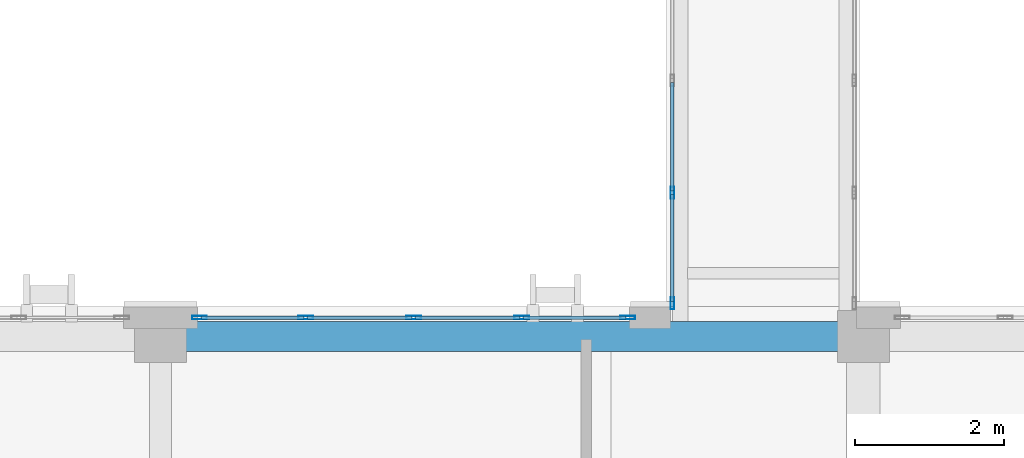
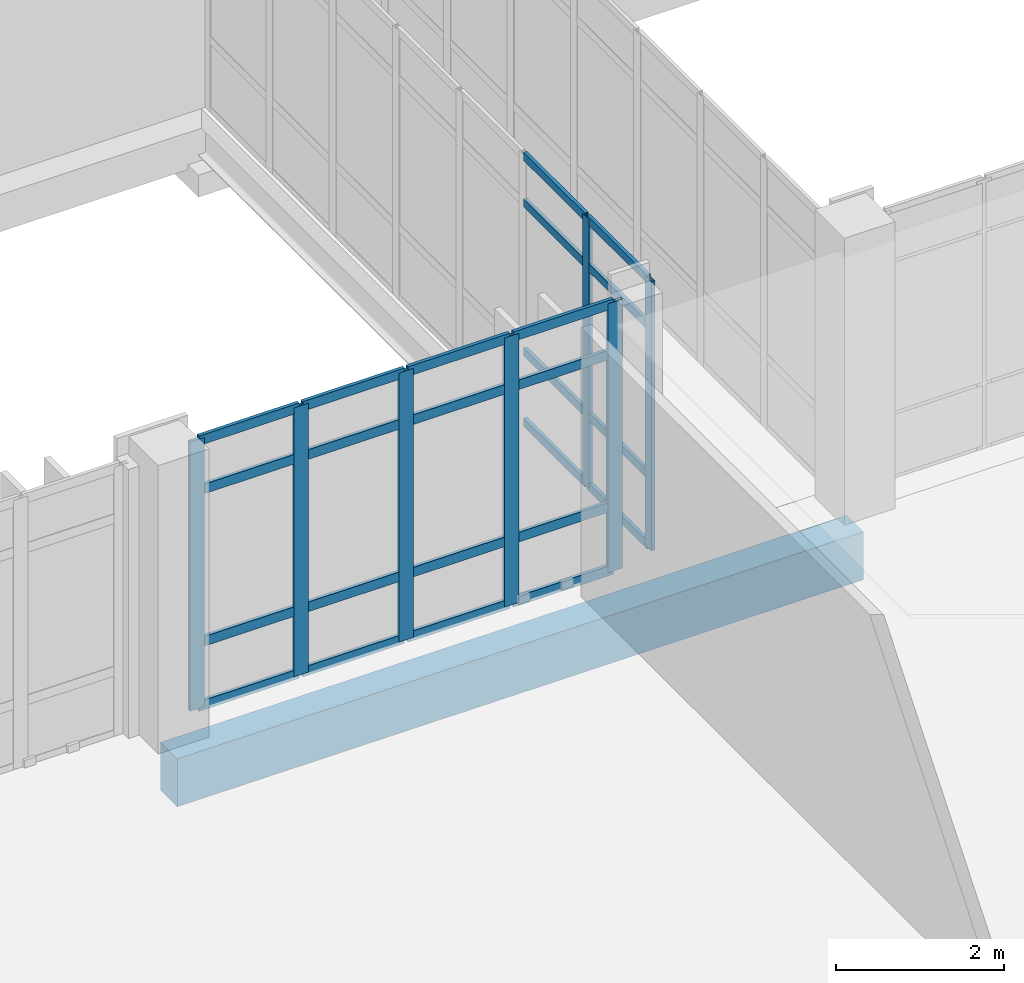
# One storey, part 44 of 165: 31 members, 1 beam, 2 elements without a shape of their own.
"""IFC4 building model written with IfcOpenShell, lengths in metres."""

from ifc_helpers import new_model, si_unit, direction, frame, origin, origin_2d, place, context, subcontext, project, spatial, rectangle, hollow_rectangle, extrude, material, layer, layer_set, material_profile, profile_set, type_object, element, aggregate, save


model = new_model("IFC4")

# Units and contexts
model_context = context("Model", 3, precision=1e-05, world=origin(), true_north=direction((0.0, 1.0)))
body_context = subcontext(model_context, "Body", "Model", "MODEL_VIEW")
ifc_project = project(units=[si_unit("LENGTHUNIT", "METRE"), si_unit("AREAUNIT", "SQUARE_METRE"), si_unit("VOLUMEUNIT", "CUBIC_METRE"), si_unit("PLANEANGLEUNIT", "RADIAN"), si_unit("MASSUNIT", "GRAM", prefix="KILO")], contexts=[model_context])

# Site, building, storey
site_placement = place(None, origin())
site = spatial("IfcSite", under=ifc_project, at=site_placement, CompositionType="ELEMENT")
building_placement = place(site_placement, origin())
building = spatial("IfcBuilding", under=site, at=building_placement, Name="Qalavern Law Courts", CompositionType="ELEMENT")
storey_placement = place(building_placement, frame((0.0, 0.0, 14.39990234375)))
storey = spatial("IfcBuildingStorey", under=building, at=storey_placement, Name="L03", CompositionType="ELEMENT", Elevation=14.39990234375)

# Curtain wall, members
ifc_material_1 = material(Name="Anodised aluminium and insulated glazing", Category="aluminium")
ifc_layer_1 = layer(ifc_material_1, 0.14990234375)
ifc_layer_set_1 = layer_set([ifc_layer_1], Name="Anodised aluminium and insulated glazing")
curtain_wall_type_1 = type_object("IfcCurtainWallType", Name="ENV-CW-BRG", PredefinedType="USERDEFINED", material=ifc_layer_set_1)
curtain_wall_1_placement = place(storey_placement, origin())
curtain_wall_1 = element("IfcCurtainWall", 1, at=curtain_wall_1_placement, inside=storey, type_object=curtain_wall_type_1, Name="Bridge BR-V2-V4 glazed curtain wall L03-1", ObjectType="UNITISED CURTAIN WALL", PredefinedType="USERDEFINED")
ifc_material_2 = material(Name="Anodised aluminium", Category="aluminium")
ifc_material_profile_1 = material_profile(ifc_material_2, hollow_rectangle(XDim=0.048095703125, YDim=0.159912109375, WallThickness=0.00390625, at=origin_2d()), Name="ALU MULLION 48x160")
ifc_profile_set_1 = profile_set([ifc_material_profile_1], Name="Anodised aluminium")
member_type_1 = type_object("IfcMemberType", Name="ENV-CWM-48x160", PredefinedType="MULLION", material=ifc_profile_set_1)
member_1_placement = place(storey_placement, frame((88.77490234375, 31.931396484375, 0.0), z_axis=(0.0, 0.0, 1.0), x_axis=(1.0, 0.0, 0.0)))
member_1 = element("IfcMember", 2, at=member_1_placement, type_object=member_type_1, Name="CW-06 mullion 7", PredefinedType="MULLION", context=body_context, shape_type="SweptSolid", body=[
    extrude(hollow_rectangle(XDim=0.048095703125, YDim=0.159912109375, WallThickness=0.00390625, at=origin_2d()), origin(), (0.0, 0.0, 1.0), 3.920166015625),
])
member_2_placement = place(storey_placement, frame((88.77490234375, 30.444091796875, 0.0), z_axis=(0.0, 0.0, 1.0), x_axis=(1.0, 0.0, 0.0)))
member_2 = element("IfcMember", 3, at=member_2_placement, type_object=member_type_1, Name="CW-06 mullion 8", PredefinedType="MULLION", context=body_context, shape_type="SweptSolid", body=[
    extrude(hollow_rectangle(XDim=0.048095703125, YDim=0.159912109375, WallThickness=0.00390625, at=origin_2d()), origin(), (0.0, 0.0, 1.0), 3.920166015625),
])

ifc_layer_2 = layer(ifc_material_1, 0.18505859375)
ifc_layer_set_2 = layer_set([ifc_layer_2], Name="Anodised aluminium and insulated glazing")
curtain_wall_type_2 = type_object("IfcCurtainWallType", Name="ENV-CW-HALL", PredefinedType="USERDEFINED", material=ifc_layer_set_2)
curtain_wall_2_placement = place(storey_placement, origin())
curtain_wall_2 = element("IfcCurtainWall", 4, at=curtain_wall_2_placement, inside=storey, type_object=curtain_wall_type_2, Name="V2 unitised curtain wall L03 north 1", ObjectType="UNITISED CURTAIN WALL", PredefinedType="USERDEFINED")
ifc_material_profile_2 = material_profile(ifc_material_2, hollow_rectangle(XDim=0.048095703125, YDim=0.199951171875, WallThickness=0.00439453125, at=origin_2d()), Name="ALU MULLION 48x200")
ifc_profile_set_2 = profile_set([ifc_material_profile_2], Name="Anodised aluminium")
member_type_2 = type_object("IfcMemberType", Name="ENV-CWM-48x200", PredefinedType="MULLION", material=ifc_profile_set_2)
member_3_placement = place(storey_placement, frame((88.176025390625, 30.25244140625, 0.0), z_axis=(0.0, 0.0, 1.0), x_axis=(0.0, -1.0, 0.0)))
member_3 = element("IfcMember", 5, at=member_3_placement, type_object=member_type_2, Name="CW-02 mullion 1", PredefinedType="MULLION", context=body_context, shape_type="SweptSolid", body=[
    extrude(hollow_rectangle(XDim=0.048095703125, YDim=0.199951171875, WallThickness=0.00439453125, at=origin_2d()), origin(), (0.0, 0.0, 1.0), 3.920166015625),
])
member_4_placement = place(storey_placement, frame((86.747802734375, 30.25244140625, 0.0), z_axis=(0.0, 0.0, 1.0), x_axis=(0.0, -1.0, 0.0)))
member_4 = element("IfcMember", 6, at=member_4_placement, type_object=member_type_2, Name="CW-02 mullion 2", PredefinedType="MULLION", context=body_context, shape_type="SweptSolid", body=[
    extrude(hollow_rectangle(XDim=0.048095703125, YDim=0.199951171875, WallThickness=0.00439453125, at=origin_2d()), origin(), (0.0, 0.0, 1.0), 3.920166015625),
])
member_5_placement = place(storey_placement, frame((85.295654296875, 30.25244140625, 0.0), z_axis=(0.0, 0.0, 1.0), x_axis=(0.0, -1.0, 0.0)))
member_5 = element("IfcMember", 7, at=member_5_placement, type_object=member_type_2, Name="CW-02 mullion 3", PredefinedType="MULLION", context=body_context, shape_type="SweptSolid", body=[
    extrude(hollow_rectangle(XDim=0.048095703125, YDim=0.199951171875, WallThickness=0.00439453125, at=origin_2d()), origin(), (0.0, 0.0, 1.0), 3.920166015625),
])
member_6_placement = place(storey_placement, frame((83.843505859375, 30.25244140625, 0.0), z_axis=(0.0, 0.0, 1.0), x_axis=(0.0, -1.0, 0.0)))
member_6 = element("IfcMember", 8, at=member_6_placement, type_object=member_type_2, Name="CW-02 mullion 4", PredefinedType="MULLION", context=body_context, shape_type="SweptSolid", body=[
    extrude(hollow_rectangle(XDim=0.048095703125, YDim=0.199951171875, WallThickness=0.00439453125, at=origin_2d()), origin(), (0.0, 0.0, 1.0), 3.920166015625),
])
member_7_placement = place(storey_placement, frame((82.415283203125, 30.25244140625, 0.0), z_axis=(0.0, 0.0, 1.0), x_axis=(0.0, -1.0, 0.0)))
member_7 = element("IfcMember", 9, at=member_7_placement, type_object=member_type_2, Name="CW-02 mullion 5", PredefinedType="MULLION", context=body_context, shape_type="SweptSolid", body=[
    extrude(hollow_rectangle(XDim=0.048095703125, YDim=0.199951171875, WallThickness=0.00439453125, at=origin_2d()), origin(), (0.0, 0.0, 1.0), 3.920166015625),
])

# Member
ifc_material_profile_3 = material_profile(ifc_material_2, hollow_rectangle(XDim=0.048095703125, YDim=0.1201171875, WallThickness=0.00390625, at=origin_2d()), Name="ALU TRANSOM 48x120")
ifc_profile_set_3 = profile_set([ifc_material_profile_3], Name="Anodised aluminium")
member_type_3 = type_object("IfcMemberType", Name="ENV-CWT-48x120", PredefinedType="USERDEFINED", material=ifc_profile_set_3)
member_8_placement = place(storey_placement, frame((88.77490234375, 33.4189453125, 0.024169921875), z_axis=(0.0, -1.0, 0.0), x_axis=(1.0, 0.0, 0.0)))
member_8 = element("IfcMember", 10, at=member_8_placement, type_object=member_type_3, Name="CW-06 transom 6.1", ObjectType="TRANSOM", PredefinedType="USERDEFINED", context=body_context, shape_type="SweptSolid", body=[
    extrude(hollow_rectangle(XDim=0.048095703125, YDim=0.1201171875, WallThickness=0.00390625, at=origin_2d()), origin(), (0.0, 0.0, 1.0), 1.463623046875),
])

member_9_placement = place(storey_placement, frame((88.77490234375, 33.4189453125, 1.050048828125), z_axis=(0.0, -1.0, 0.0), x_axis=(1.0, 0.0, 0.0)))
member_9 = element("IfcMember", 11, at=member_9_placement, type_object=member_type_3, Name="CW-06 transom 6.2", ObjectType="TRANSOM", PredefinedType="USERDEFINED", context=body_context, shape_type="SweptSolid", body=[
    extrude(hollow_rectangle(XDim=0.048095703125, YDim=0.1201171875, WallThickness=0.00390625, at=origin_2d()), origin(), (0.0, 0.0, 1.0), 1.463623046875),
])

member_10_placement = place(storey_placement, frame((88.77490234375, 33.4189453125, 3.22021484375), z_axis=(0.0, -1.0, 0.0), x_axis=(1.0, 0.0, 0.0)))
member_10 = element("IfcMember", 12, at=member_10_placement, type_object=member_type_3, Name="CW-06 transom 6.3", ObjectType="TRANSOM", PredefinedType="USERDEFINED", context=body_context, shape_type="SweptSolid", body=[
    extrude(hollow_rectangle(XDim=0.048095703125, YDim=0.1201171875, WallThickness=0.00390625, at=origin_2d()), origin(), (0.0, 0.0, 1.0), 1.463623046875),
])

member_11_placement = place(storey_placement, frame((88.77490234375, 33.4189453125, 3.89599609375), z_axis=(0.0, -1.0, 0.0), x_axis=(1.0, 0.0, 0.0)))
member_11 = element("IfcMember", 13, at=member_11_placement, type_object=member_type_3, Name="CW-06 transom 6.4", ObjectType="TRANSOM", PredefinedType="USERDEFINED", context=body_context, shape_type="SweptSolid", body=[
    extrude(hollow_rectangle(XDim=0.048095703125, YDim=0.1201171875, WallThickness=0.00390625, at=origin_2d()), origin(), (0.0, 0.0, 1.0), 1.463623046875),
])

member_12_placement = place(storey_placement, frame((88.77490234375, 31.907470703125, 0.024169921875), z_axis=(0.0, -1.0, 0.0), x_axis=(1.0, 0.0, 0.0)))
member_12 = element("IfcMember", 14, at=member_12_placement, type_object=member_type_3, Name="CW-06 transom 7.1", ObjectType="TRANSOM", PredefinedType="USERDEFINED", context=body_context, shape_type="SweptSolid", body=[
    extrude(hollow_rectangle(XDim=0.048095703125, YDim=0.1201171875, WallThickness=0.00390625, at=origin_2d()), origin(), (0.0, 0.0, 1.0), 1.439453125),
])

member_13_placement = place(storey_placement, frame((88.77490234375, 31.907470703125, 1.050048828125), z_axis=(0.0, -1.0, 0.0), x_axis=(1.0, 0.0, 0.0)))
member_13 = element("IfcMember", 15, at=member_13_placement, type_object=member_type_3, Name="CW-06 transom 7.2", ObjectType="TRANSOM", PredefinedType="USERDEFINED", context=body_context, shape_type="SweptSolid", body=[
    extrude(hollow_rectangle(XDim=0.048095703125, YDim=0.1201171875, WallThickness=0.00390625, at=origin_2d()), origin(), (0.0, 0.0, 1.0), 1.439453125),
])

member_14_placement = place(storey_placement, frame((88.77490234375, 31.907470703125, 3.22021484375), z_axis=(0.0, -1.0, 0.0), x_axis=(1.0, 0.0, 0.0)))
member_14 = element("IfcMember", 16, at=member_14_placement, type_object=member_type_3, Name="CW-06 transom 7.3", ObjectType="TRANSOM", PredefinedType="USERDEFINED", context=body_context, shape_type="SweptSolid", body=[
    extrude(hollow_rectangle(XDim=0.048095703125, YDim=0.1201171875, WallThickness=0.00390625, at=origin_2d()), origin(), (0.0, 0.0, 1.0), 1.439453125),
])

member_15_placement = place(storey_placement, frame((88.77490234375, 31.907470703125, 3.89599609375), z_axis=(0.0, -1.0, 0.0), x_axis=(1.0, 0.0, 0.0)))
member_15 = element("IfcMember", 17, at=member_15_placement, type_object=member_type_3, Name="CW-06 transom 7.4", ObjectType="TRANSOM", PredefinedType="USERDEFINED", context=body_context, shape_type="SweptSolid", body=[
    extrude(hollow_rectangle(XDim=0.048095703125, YDim=0.1201171875, WallThickness=0.00390625, at=origin_2d()), origin(), (0.0, 0.0, 1.0), 1.439453125),
])

aggregate(curtain_wall_1, [member_1, member_2, member_8, member_9, member_10, member_11, member_12, member_13, member_14, member_15])

ifc_material_profile_4 = material_profile(ifc_material_2, hollow_rectangle(XDim=0.048095703125, YDim=0.139892578125, WallThickness=0.00390625, at=origin_2d()), Name="ALU TRANSOM 48x140")
ifc_profile_set_4 = profile_set([ifc_material_profile_4], Name="Anodised aluminium")
member_type_4 = type_object("IfcMemberType", Name="ENV-CWT-48x140", PredefinedType="USERDEFINED", material=ifc_profile_set_4)
member_16_placement = place(storey_placement, frame((88.152099609375, 30.25244140625, 0.024169921875), z_axis=(-1.0, 0.0, 0.0), x_axis=(0.0, -1.0, 0.0)))
member_16 = element("IfcMember", 18, at=member_16_placement, type_object=member_type_4, Name="CW-02 transom 1.1", ObjectType="TRANSOM", PredefinedType="USERDEFINED", context=body_context, shape_type="SweptSolid", body=[
    extrude(hollow_rectangle(XDim=0.048095703125, YDim=0.139892578125, WallThickness=0.00390625, at=origin_2d()), origin(), (0.0, 0.0, 1.0), 1.38037109375),
])

member_17_placement = place(storey_placement, frame((88.152099609375, 30.25244140625, 0.9501953125), z_axis=(-1.0, 0.0, 0.0), x_axis=(0.0, -1.0, 0.0)))
member_17 = element("IfcMember", 19, at=member_17_placement, type_object=member_type_4, Name="CW-02 transom 1.2", ObjectType="TRANSOM", PredefinedType="USERDEFINED", context=body_context, shape_type="SweptSolid", body=[
    extrude(hollow_rectangle(XDim=0.048095703125, YDim=0.139892578125, WallThickness=0.00390625, at=origin_2d()), origin(), (0.0, 0.0, 1.0), 1.38037109375),
])

member_18_placement = place(storey_placement, frame((88.152099609375, 30.25244140625, 3.170166015625), z_axis=(-1.0, 0.0, 0.0), x_axis=(0.0, -1.0, 0.0)))
member_18 = element("IfcMember", 20, at=member_18_placement, type_object=member_type_4, Name="CW-02 transom 1.3", ObjectType="TRANSOM", PredefinedType="USERDEFINED", context=body_context, shape_type="SweptSolid", body=[
    extrude(hollow_rectangle(XDim=0.048095703125, YDim=0.139892578125, WallThickness=0.00390625, at=origin_2d()), origin(), (0.0, 0.0, 1.0), 1.38037109375),
])

member_19_placement = place(storey_placement, frame((88.152099609375, 30.25244140625, 3.89599609375), z_axis=(-1.0, 0.0, 0.0), x_axis=(0.0, -1.0, 0.0)))
member_19 = element("IfcMember", 21, at=member_19_placement, type_object=member_type_4, Name="CW-02 transom 1.4", ObjectType="TRANSOM", PredefinedType="USERDEFINED", context=body_context, shape_type="SweptSolid", body=[
    extrude(hollow_rectangle(XDim=0.048095703125, YDim=0.139892578125, WallThickness=0.00390625, at=origin_2d()), origin(), (0.0, 0.0, 1.0), 1.38037109375),
])

member_20_placement = place(storey_placement, frame((86.723876953125, 30.25244140625, 0.024169921875), z_axis=(-1.0, 0.0, 0.0), x_axis=(0.0, -1.0, 0.0)))
member_20 = element("IfcMember", 22, at=member_20_placement, type_object=member_type_4, Name="CW-02 transom 2.1", ObjectType="TRANSOM", PredefinedType="USERDEFINED", context=body_context, shape_type="SweptSolid", body=[
    extrude(hollow_rectangle(XDim=0.048095703125, YDim=0.139892578125, WallThickness=0.00390625, at=origin_2d()), origin(), (0.0, 0.0, 1.0), 1.404296875),
])

member_21_placement = place(storey_placement, frame((86.723876953125, 30.25244140625, 0.9501953125), z_axis=(-1.0, 0.0, 0.0), x_axis=(0.0, -1.0, 0.0)))
member_21 = element("IfcMember", 23, at=member_21_placement, type_object=member_type_4, Name="CW-02 transom 2.2", ObjectType="TRANSOM", PredefinedType="USERDEFINED", context=body_context, shape_type="SweptSolid", body=[
    extrude(hollow_rectangle(XDim=0.048095703125, YDim=0.139892578125, WallThickness=0.00390625, at=origin_2d()), origin(), (0.0, 0.0, 1.0), 1.404296875),
])

member_22_placement = place(storey_placement, frame((86.723876953125, 30.25244140625, 3.170166015625), z_axis=(-1.0, 0.0, 0.0), x_axis=(0.0, -1.0, 0.0)))
member_22 = element("IfcMember", 24, at=member_22_placement, type_object=member_type_4, Name="CW-02 transom 2.3", ObjectType="TRANSOM", PredefinedType="USERDEFINED", context=body_context, shape_type="SweptSolid", body=[
    extrude(hollow_rectangle(XDim=0.048095703125, YDim=0.139892578125, WallThickness=0.00390625, at=origin_2d()), origin(), (0.0, 0.0, 1.0), 1.404296875),
])

member_23_placement = place(storey_placement, frame((86.723876953125, 30.25244140625, 3.89599609375), z_axis=(-1.0, 0.0, 0.0), x_axis=(0.0, -1.0, 0.0)))
member_23 = element("IfcMember", 25, at=member_23_placement, type_object=member_type_4, Name="CW-02 transom 2.4", ObjectType="TRANSOM", PredefinedType="USERDEFINED", context=body_context, shape_type="SweptSolid", body=[
    extrude(hollow_rectangle(XDim=0.048095703125, YDim=0.139892578125, WallThickness=0.00390625, at=origin_2d()), origin(), (0.0, 0.0, 1.0), 1.404296875),
])

member_24_placement = place(storey_placement, frame((85.271728515625, 30.25244140625, 0.024169921875), z_axis=(-1.0, 0.0, 0.0), x_axis=(0.0, -1.0, 0.0)))
member_24 = element("IfcMember", 26, at=member_24_placement, type_object=member_type_4, Name="CW-02 transom 3.1", ObjectType="TRANSOM", PredefinedType="USERDEFINED", context=body_context, shape_type="SweptSolid", body=[
    extrude(hollow_rectangle(XDim=0.048095703125, YDim=0.139892578125, WallThickness=0.00390625, at=origin_2d()), origin(), (0.0, 0.0, 1.0), 1.404296875),
])

member_25_placement = place(storey_placement, frame((85.271728515625, 30.25244140625, 0.9501953125), z_axis=(-1.0, 0.0, 0.0), x_axis=(0.0, -1.0, 0.0)))
member_25 = element("IfcMember", 27, at=member_25_placement, type_object=member_type_4, Name="CW-02 transom 3.2", ObjectType="TRANSOM", PredefinedType="USERDEFINED", context=body_context, shape_type="SweptSolid", body=[
    extrude(hollow_rectangle(XDim=0.048095703125, YDim=0.139892578125, WallThickness=0.00390625, at=origin_2d()), origin(), (0.0, 0.0, 1.0), 1.404296875),
])

member_26_placement = place(storey_placement, frame((85.271728515625, 30.25244140625, 3.170166015625), z_axis=(-1.0, 0.0, 0.0), x_axis=(0.0, -1.0, 0.0)))
member_26 = element("IfcMember", 28, at=member_26_placement, type_object=member_type_4, Name="CW-02 transom 3.3", ObjectType="TRANSOM", PredefinedType="USERDEFINED", context=body_context, shape_type="SweptSolid", body=[
    extrude(hollow_rectangle(XDim=0.048095703125, YDim=0.139892578125, WallThickness=0.00390625, at=origin_2d()), origin(), (0.0, 0.0, 1.0), 1.404296875),
])

member_27_placement = place(storey_placement, frame((85.271728515625, 30.25244140625, 3.89599609375), z_axis=(-1.0, 0.0, 0.0), x_axis=(0.0, -1.0, 0.0)))
member_27 = element("IfcMember", 29, at=member_27_placement, type_object=member_type_4, Name="CW-02 transom 3.4", ObjectType="TRANSOM", PredefinedType="USERDEFINED", context=body_context, shape_type="SweptSolid", body=[
    extrude(hollow_rectangle(XDim=0.048095703125, YDim=0.139892578125, WallThickness=0.00390625, at=origin_2d()), origin(), (0.0, 0.0, 1.0), 1.404296875),
])

member_28_placement = place(storey_placement, frame((83.819580078125, 30.25244140625, 0.024169921875), z_axis=(-1.0, 0.0, 0.0), x_axis=(0.0, -1.0, 0.0)))
member_28 = element("IfcMember", 30, at=member_28_placement, type_object=member_type_4, Name="CW-02 transom 4.1", ObjectType="TRANSOM", PredefinedType="USERDEFINED", context=body_context, shape_type="SweptSolid", body=[
    extrude(hollow_rectangle(XDim=0.048095703125, YDim=0.139892578125, WallThickness=0.00390625, at=origin_2d()), origin(), (0.0, 0.0, 1.0), 1.380126953125),
])

member_29_placement = place(storey_placement, frame((83.819580078125, 30.25244140625, 0.9501953125), z_axis=(-1.0, 0.0, 0.0), x_axis=(0.0, -1.0, 0.0)))
member_29 = element("IfcMember", 31, at=member_29_placement, type_object=member_type_4, Name="CW-02 transom 4.2", ObjectType="TRANSOM", PredefinedType="USERDEFINED", context=body_context, shape_type="SweptSolid", body=[
    extrude(hollow_rectangle(XDim=0.048095703125, YDim=0.139892578125, WallThickness=0.00390625, at=origin_2d()), origin(), (0.0, 0.0, 1.0), 1.380126953125),
])

member_30_placement = place(storey_placement, frame((83.819580078125, 30.25244140625, 3.170166015625), z_axis=(-1.0, 0.0, 0.0), x_axis=(0.0, -1.0, 0.0)))
member_30 = element("IfcMember", 32, at=member_30_placement, type_object=member_type_4, Name="CW-02 transom 4.3", ObjectType="TRANSOM", PredefinedType="USERDEFINED", context=body_context, shape_type="SweptSolid", body=[
    extrude(hollow_rectangle(XDim=0.048095703125, YDim=0.139892578125, WallThickness=0.00390625, at=origin_2d()), origin(), (0.0, 0.0, 1.0), 1.380126953125),
])

member_31_placement = place(storey_placement, frame((83.819580078125, 30.25244140625, 3.89599609375), z_axis=(-1.0, 0.0, 0.0), x_axis=(0.0, -1.0, 0.0)))
member_31 = element("IfcMember", 33, at=member_31_placement, type_object=member_type_4, Name="CW-02 transom 4.4", ObjectType="TRANSOM", PredefinedType="USERDEFINED", context=body_context, shape_type="SweptSolid", body=[
    extrude(hollow_rectangle(XDim=0.048095703125, YDim=0.139892578125, WallThickness=0.00390625, at=origin_2d()), origin(), (0.0, 0.0, 1.0), 1.380126953125),
])

aggregate(curtain_wall_2, [member_3, member_4, member_5, member_6, member_7, member_16, member_17, member_18, member_19, member_20, member_21, member_22, member_23, member_24, member_25, member_26, member_27, member_28, member_29, member_30, member_31])

# Beam
ifc_material_3 = material(Name="Concrete C40/50", Category="concrete")
ifc_material_profile_5 = material_profile(ifc_material_3, rectangle(XDim=0.39990234375, YDim=0.699951171875, at=origin_2d()), Name="RC 400x700")
ifc_profile_set_5 = profile_set([ifc_material_profile_5], Name="Concrete C40/50")
beam_type = type_object("IfcBeamType", Name="STR-SP-RC400x700", PredefinedType="SPANDREL", material=ifc_profile_set_5)
beam_placement = place(storey_placement, frame((81.891357421875, 30.0, -0.635009765625), z_axis=(1.0, 0.0, 0.0), x_axis=(0.0, 1.0, 0.0)))
element("IfcBeam", 34, at=beam_placement, inside=storey, type_object=beam_type, Name="V2 X-beam 4-6 L03", PredefinedType="SPANDREL", context=body_context, shape_type="SweptSolid", body=[
    extrude(rectangle(XDim=0.39990234375, YDim=0.699951171875, at=origin_2d()), origin(), (0.0, 0.0, 1.0), 9.454345703125),
])

save(model, "model.ifc")
